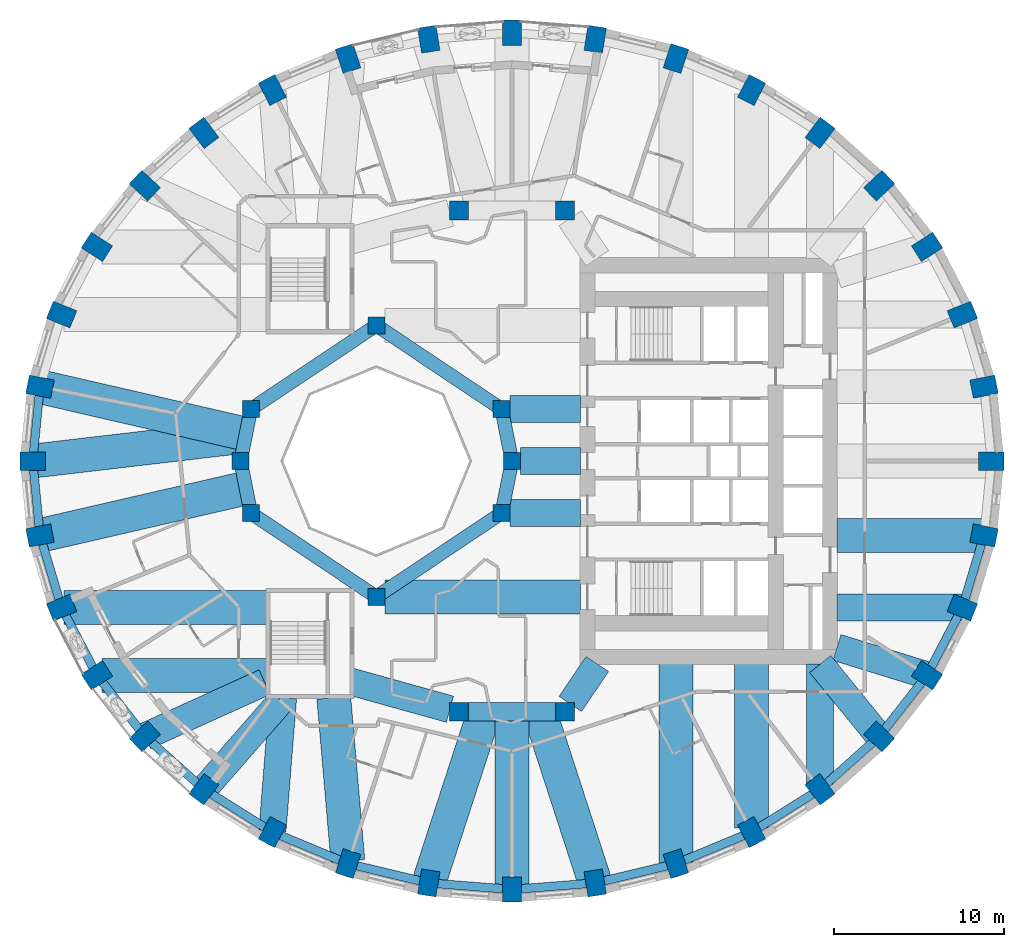
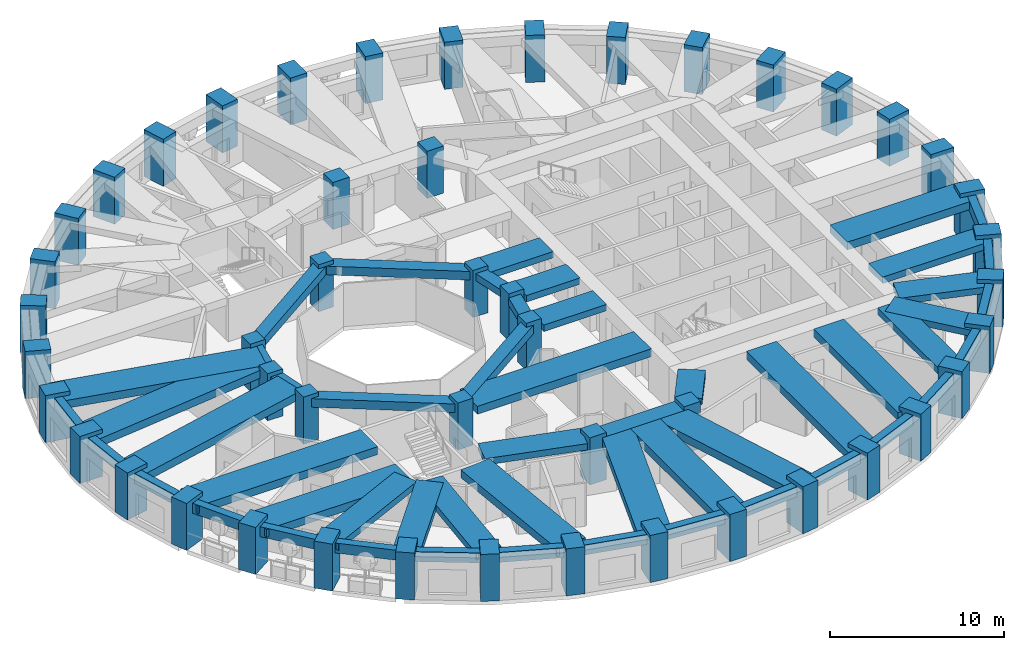
# One storey, part 1 of 13: 52 beams, 48 columns.
"""IFC4 building model written with IfcOpenShell, lengths in metres."""

from ifc_helpers import new_model, si_unit, direction, frame, origin, origin_2d, place, context, subcontext, project, spatial, rectangle, extrude, material, material_profile, profile_set, type_object, element, save


model = new_model("IFC4")

# Units and contexts
model_context = context("Model", 3, precision=1e-05, world=origin(), true_north=direction((0.0, 1.0)))
body_context = subcontext(model_context, "Body", "Model", "MODEL_VIEW")
ifc_project = project(units=[si_unit("LENGTHUNIT", "METRE"), si_unit("AREAUNIT", "SQUARE_METRE"), si_unit("VOLUMEUNIT", "CUBIC_METRE"), si_unit("PLANEANGLEUNIT", "RADIAN"), si_unit("MASSUNIT", "GRAM", prefix="KILO")], contexts=[model_context])

# Site, building, storey
site_placement = place(None, origin())
site = spatial("IfcSite", under=ifc_project, at=site_placement, CompositionType="ELEMENT")
building_placement = place(site_placement, origin())
building = spatial("IfcBuilding", under=site, at=building_placement, Name="Taillehof Tower", CompositionType="ELEMENT")
storey_placement = place(building_placement, frame((0.0, 0.0, 51.39990234375)))
storey = spatial("IfcBuildingStorey", under=building, at=storey_placement, Name="L13", CompositionType="ELEMENT", Elevation=51.39990234375)

# Columns
ifc_material_1 = material(Name="Concrete C50/60", Category="concrete")
ifc_material_profile_1 = material_profile(ifc_material_1, rectangle(XDim=1.0, YDim=1.0, at=origin_2d()), Name="RC 1000x1000")
ifc_profile_set_1 = profile_set([ifc_material_profile_1], Name="Concrete C50/60")
column_type_1 = type_object("IfcColumnType", Name="Atrium ring column C50/60 1000x1000", PredefinedType="COLUMN", material=ifc_profile_set_1)
for number, where, z_axis, x_axis, name in (
    (1, (0.0, 0.0, 0.0), (0.0, 0.0, 1.0), (1.0, 0.0, 0.0), "Column AC01"),
    (2, (-8.0, 8.0, 0.0), (0.0, 0.0, 1.0), (1.0, 0.0, 0.0), "Column AC05"),
    (3, (-15.39111328125, 3.0615234375, 0.0), (0.0, 0.0, 1.0), (1.0, 0.0, 0.0), "Column AC08"),
    (4, (-16.0, 0.0, 0.0), (0.0, 0.0, 1.0), (1.0, 0.0, 0.0), "Column AC09"),
    (5, (-15.39111328125, -3.0615234375, 0.0), (0.0, 0.0, 1.0), (1.0, 0.0, 0.0), "Column AC10"),
    (6, (-8.0, -8.0, 0.0), (0.0, 0.0, 1.0), (1.0, 0.0, 0.0), "Column AC13"),
    (7, (-0.60888671875, -3.0615234375, 0.0), (0.0, 0.0, 1.0), (1.0, 0.0, 0.0), "Column AC16"),
):
    element("IfcColumn", number, at=place(storey_placement, frame(where, z_axis=z_axis, x_axis=x_axis)), inside=storey, type_object=column_type_1, Name=name, PredefinedType="COLUMN", context=body_context, shape_type="SweptSolid", body=[
        extrude(rectangle(XDim=1.0, YDim=1.0, at=origin_2d()), origin(), (0.0, 0.0, 1.0), 3.300048828125),
    ])
ifc_material_2 = material(Name="Concrete C60/75", Category="concrete")
ifc_material_profile_2 = material_profile(ifc_material_2, rectangle(XDim=1.0, YDim=1.0, at=origin_2d()), Name="RC 1000x1000")
ifc_profile_set_2 = profile_set([ifc_material_profile_2], Name="Concrete C60/75")
column_type_2 = type_object("IfcColumnType", Name="Atrium ring column C60/75 1000x1000", PredefinedType="COLUMN", material=ifc_profile_set_2)
column_placement = place(storey_placement, frame((-0.60888671875, 3.0615234375, 0.0), z_axis=(0.0, 0.0, 1.0), x_axis=(1.0, 0.0, 0.0)))
element("IfcColumn", 8, at=column_placement, inside=storey, type_object=column_type_2, Name="Column AC02", PredefinedType="COLUMN", context=body_context, shape_type="SweptSolid", body=[
    extrude(rectangle(XDim=1.0, YDim=1.0, at=origin_2d()), origin(), (0.0, 0.0, 1.0), 3.300048828125),
])
ifc_material_3 = material(Name="Concrete C60/75", Category="concrete")
ifc_material_profile_3 = material_profile(ifc_material_3, rectangle(XDim=1.10009765625, YDim=1.10009765625, at=origin_2d()), Name="RC 1100x1100")
ifc_profile_set_3 = profile_set([ifc_material_profile_3], Name="Concrete C60/75")
column_type_3 = type_object("IfcColumnType", Name="Mid-ring column C60/75 1100x1100", PredefinedType="COLUMN", material=ifc_profile_set_3)
for number, where, z_axis, x_axis, name in (
    (9, (3.125732421875, 14.772216796875, 0.0), (0.0, 0.0, 1.0), (1.0, 0.0, 0.0), "Column MC05"),
    (10, (3.125732421875, -14.772216796875, 0.0), (0.0, 0.0, 1.0), (1.0, 0.0, 0.0), "Column MC15"),
):
    element("IfcColumn", number, at=place(storey_placement, frame(where, z_axis=z_axis, x_axis=x_axis)), inside=storey, type_object=column_type_3, Name=name, PredefinedType="COLUMN", context=body_context, shape_type="SweptSolid", body=[
        extrude(rectangle(XDim=1.10009765625, YDim=1.10009765625, at=origin_2d()), origin(), (0.0, 0.0, 1.0), 3.300048828125),
    ])
ifc_material_4 = material(Name="Concrete C70/85", Category="concrete")
ifc_material_profile_4 = material_profile(ifc_material_4, rectangle(XDim=1.10009765625, YDim=1.10009765625, at=origin_2d()), Name="RC 1100x1100")
ifc_profile_set_4 = profile_set([ifc_material_profile_4], Name="Concrete C70/85")
column_type_4 = type_object("IfcColumnType", Name="Mid-ring column C70/85 1100x1100", PredefinedType="COLUMN", material=ifc_profile_set_4)
for number, where, z_axis, x_axis, name in (
    (11, (-3.125732421875, 14.772216796875, 0.0), (0.0, 0.0, 1.0), (1.0, 0.0, 0.0), "Column MC06"),
    (12, (-3.125732421875, -14.772216796875, 0.0), (0.0, 0.0, 1.0), (1.0, 0.0, 0.0), "Column MC14"),
):
    element("IfcColumn", number, at=place(storey_placement, frame(where, z_axis=z_axis, x_axis=x_axis)), inside=storey, type_object=column_type_4, Name=name, PredefinedType="COLUMN", context=body_context, shape_type="SweptSolid", body=[
        extrude(rectangle(XDim=1.10009765625, YDim=1.10009765625, at=origin_2d()), origin(), (0.0, 0.0, 1.0), 3.300048828125),
    ])
ifc_material_5 = material(Name="Concrete C70/85", Category="concrete")
ifc_material_profile_5 = material_profile(ifc_material_5, rectangle(XDim=1.5, YDim=1.10009765625, at=origin_2d()), Name="RC 1500x1100")
ifc_profile_set_5 = profile_set([ifc_material_profile_5], Name="Concrete C70/85")
column_type_5 = type_object("IfcColumnType", Name="Ring column C70/85 1500x1100", PredefinedType="COLUMN", material=ifc_profile_set_5)
for number, where, z_axis, x_axis, name in (
    (13, (28.25, 0.0, 0.0), (0.0, 0.0, 1.0), (1.0, 0.0, 0.0), "Ring column RC01"),
    (14, (27.82080078125, 4.384521484375, 0.0), (0.0, 0.0, 1.0), (0.98120354895, 0.192975634545, 0.0), "Ring column RC02"),
    (15, (26.54638671875, 8.635986328125, 0.0), (0.0, 0.0, 1.0), (0.926558045297, 0.37615181602, 0.0), "Ring column RC03"),
    (16, (24.46533203125, 12.625, 0.0), (0.0, 0.0, 1.0), (0.840753565229, 0.541417992456, 0.0), "Ring column RC04"),
    (17, (21.640869140625, 16.23046875, 0.0), (0.0, 0.0, 1.0), (0.730113022917, 0.683326403535, 0.0), "Ring column RC05"),
    (18, (18.15869140625, 19.342529296875, 0.0), (0.0, 0.0, 1.0), (0.601173783055, 0.79911831575, 0.0), "Ring column RC06"),
    (19, (14.125, 21.8671875, 0.0), (0.0, 0.0, 1.0), (0.459691308511, 0.888078769524, 0.0), "Ring column RC07"),
    (20, (9.662109375, 23.727294921875, 0.0), (0.0, 0.0, 1.0), (0.310219183529, 0.950665060981, 0.0), "Ring column RC08"),
    (21, (4.905517578125, 24.866455078125, 0.0), (0.0, 0.0, 1.0), (0.15614709407, 0.987733812833, 0.0), "Ring column RC09"),
    (22, (0.0, 25.25, 0.0), (0.0, 0.0, 1.0), (0.0, 1.0, 0.0), "Ring column RC10"),
    (23, (-4.905517578125, 24.866455078125, 0.0), (0.0, 0.0, 1.0), (-0.15614709407, 0.987733812833, 0.0), "Ring column RC11"),
    (24, (-9.662109375, 23.727294921875, 0.0), (0.0, 0.0, 1.0), (-0.310219183529, 0.950665060981, 0.0), "Ring column RC12"),
    (25, (-14.125, 21.8671875, 0.0), (0.0, 0.0, 1.0), (-0.459691308511, 0.888078769524, 0.0), "Ring column RC13"),
    (26, (-18.15869140625, 19.342529296875, 0.0), (0.0, 0.0, 1.0), (-0.601173783055, 0.79911831575, 0.0), "Ring column RC14"),
    (27, (-21.640869140625, 16.23046875, 0.0), (0.0, 0.0, 1.0), (-0.730113022917, 0.683326403535, 0.0), "Ring column RC15"),
    (28, (-24.46533203125, 12.625, 0.0), (0.0, 0.0, 1.0), (-0.840753565229, 0.541417992456, 0.0), "Ring column RC16"),
    (29, (-26.54638671875, 8.635986328125, 0.0), (0.0, 0.0, 1.0), (-0.926558045297, 0.37615181602, 0.0), "Ring column RC17"),
    (30, (-27.82080078125, 4.384521484375, 0.0), (0.0, 0.0, 1.0), (-0.98120354895, 0.192975634545, 0.0), "Ring column RC18"),
    (31, (-28.25, 0.0, 0.0), (0.0, 0.0, 1.0), (-1.0, 0.0, 0.0), "Ring column RC19"),
    (32, (-27.82080078125, -4.384521484375, 0.0), (0.0, 0.0, 1.0), (-0.98120354895, -0.192975634545, 0.0), "Ring column RC20"),
    (33, (-26.54638671875, -8.635986328125, 0.0), (0.0, 0.0, 1.0), (-0.926558045297, -0.37615181602, 0.0), "Ring column RC21"),
    (34, (-24.46533203125, -12.625, 0.0), (0.0, 0.0, 1.0), (-0.840753565229, -0.541417992456, 0.0), "Ring column RC22"),
    (35, (-21.640869140625, -16.23046875, 0.0), (0.0, 0.0, 1.0), (-0.730113022917, -0.683326403535, 0.0), "Ring column RC23"),
    (36, (-18.15869140625, -19.342529296875, 0.0), (0.0, 0.0, 1.0), (-0.601173783055, -0.79911831575, 0.0), "Ring column RC24"),
    (37, (-14.125, -21.8671875, 0.0), (0.0, 0.0, 1.0), (-0.459691308511, -0.888078769524, 0.0), "Ring column RC25"),
    (38, (-9.662109375, -23.727294921875, 0.0), (0.0, 0.0, 1.0), (-0.310219183529, -0.950665060981, 0.0), "Ring column RC26"),
    (39, (-4.905517578125, -24.866455078125, 0.0), (0.0, 0.0, 1.0), (-0.15614709407, -0.987733812833, 0.0), "Ring column RC27"),
    (40, (0.0, -25.25, 0.0), (0.0, 0.0, 1.0), (0.0, -1.0, 0.0), "Ring column RC28"),
    (41, (4.905517578125, -24.866455078125, 0.0), (0.0, 0.0, 1.0), (0.15614709407, -0.987733812833, 0.0), "Ring column RC29"),
    (42, (9.662109375, -23.727294921875, 0.0), (0.0, 0.0, 1.0), (0.310219183529, -0.950665060981, 0.0), "Ring column RC30"),
    (43, (14.125, -21.8671875, 0.0), (0.0, 0.0, 1.0), (0.459691308511, -0.888078769524, 0.0), "Ring column RC31"),
    (44, (18.15869140625, -19.342529296875, 0.0), (0.0, 0.0, 1.0), (0.601173783055, -0.79911831575, 0.0), "Ring column RC32"),
    (45, (21.640869140625, -16.23046875, 0.0), (0.0, 0.0, 1.0), (0.730113022917, -0.683326403535, 0.0), "Ring column RC33"),
    (46, (24.46533203125, -12.625, 0.0), (0.0, 0.0, 1.0), (0.840753565229, -0.541417992456, 0.0), "Ring column RC34"),
    (47, (26.54638671875, -8.635986328125, 0.0), (0.0, 0.0, 1.0), (0.926558045297, -0.37615181602, 0.0), "Ring column RC35"),
    (48, (27.82080078125, -4.384521484375, 0.0), (0.0, 0.0, 1.0), (0.98120354895, -0.192975634545, 0.0), "Ring column RC36"),
):
    element("IfcColumn", number, at=place(storey_placement, frame(where, z_axis=z_axis, x_axis=x_axis)), inside=storey, type_object=column_type_5, Name=name, PredefinedType="COLUMN", context=body_context, shape_type="SweptSolid", body=[
        extrude(rectangle(XDim=1.5, YDim=1.10009765625, at=origin_2d()), origin(), (0.0, 0.0, 1.0), 3.300048828125),
    ])

# Beams
ifc_material_6 = material(Name="Concrete C50/60", Category="concrete")
ifc_material_profile_6 = material_profile(ifc_material_6, rectangle(XDim=0.800048828125, YDim=0.5, at=origin_2d()), Name="RC 800x500")
ifc_profile_set_6 = profile_set([ifc_material_profile_6], Name="Concrete C50/60")
beam_type_1 = type_object("IfcBeamType", Name="Atrium ring beam C50/60 800x500", PredefinedType="BEAM", material=ifc_profile_set_6)
for number, where, z_axis, x_axis, name in (
    (49, (0.0, 0.0, 2.77001953125), (-0.195063155143, 0.980790683839, 0.0), (-0.980790683839, -0.195063155143, 0.0), "Atrium ring beam AB01"),
    (50, (-15.39111328125, 3.0615234375, 2.77001953125), (-0.195063155143, -0.980790683839, 0.0), (0.980790683839, -0.195063155143, 0.0), "Atrium ring beam AB04"),
    (51, (-16.0, 0.0, 2.77001953125), (0.195063155143, -0.980790683839, 0.0), (0.980790683839, 0.195063155143, 0.0), "Atrium ring beam AB05"),
    (52, (-0.60888671875, -3.0615234375, 2.77001953125), (0.195063155143, 0.980790683839, 0.0), (-0.980790683839, 0.195063155143, 0.0), "Atrium ring beam AB08"),
):
    element("IfcBeam", number, at=place(storey_placement, frame(where, z_axis=z_axis, x_axis=x_axis)), inside=storey, type_object=beam_type_1, Name=name, PredefinedType="BEAM", context=body_context, shape_type="SweptSolid", body=[
        extrude(rectangle(XDim=0.800048828125, YDim=0.5, at=origin_2d()), origin(), (0.0, 0.0, 1.0), 3.12158203125),
    ])
ifc_material_7 = material(Name="Concrete C50/60", Category="concrete")
ifc_material_profile_7 = material_profile(ifc_material_7, rectangle(XDim=0.800048828125, YDim=0.60009765625, at=origin_2d()), Name="RC 800x600")
ifc_profile_set_7 = profile_set([ifc_material_profile_7], Name="Concrete C50/60")
beam_type_2 = type_object("IfcBeamType", Name="Atrium ring beam C50/60 800x600", PredefinedType="BEAM", material=ifc_profile_set_7)
for number, where, z_axis, x_axis, name in (
    (53, (-0.60888671875, 3.0615234375, 2.72021484375), (-0.831475195687, 0.555561876804, 0.0), (-0.555561876804, -0.831475195687, 0.0), "Atrium ring beam AB02"),
    (54, (-8.0, 8.0, 2.72021484375), (-0.831475195687, -0.555561876804, 0.0), (0.555561876804, -0.831475195687, 0.0), "Atrium ring beam AB03"),
    (55, (-15.39111328125, -3.0615234375, 2.72021484375), (0.831475195687, -0.555561876804, 0.0), (0.555561876804, 0.831475195687, 0.0), "Atrium ring beam AB06"),
    (56, (-8.0, -8.0, 2.72021484375), (0.831475195687, 0.555561876804, 0.0), (-0.555561876804, 0.831475195687, 0.0), "Atrium ring beam AB07"),
):
    element("IfcBeam", number, at=place(storey_placement, frame(where, z_axis=z_axis, x_axis=x_axis)), inside=storey, type_object=beam_type_2, Name=name, PredefinedType="BEAM", context=body_context, shape_type="SweptSolid", body=[
        extrude(rectangle(XDim=0.800048828125, YDim=0.60009765625, at=origin_2d()), origin(), (0.0, 0.0, 1.0), 8.88916015625),
    ])
ifc_material_8 = material(Name="Concrete C50/60", Category="concrete")
ifc_material_profile_8 = material_profile(ifc_material_8, rectangle(XDim=1.10009765625, YDim=0.60009765625, at=origin_2d()), Name="RC 1100x600")
ifc_profile_set_8 = profile_set([ifc_material_profile_8], Name="Concrete C50/60")
beam_type_3 = type_object("IfcBeamType", Name="Mid-ring beam C50/60 1100x600", PredefinedType="BEAM", material=ifc_profile_set_8)
beam_1_placement = place(storey_placement, frame((-3.125732421875, -14.772216796875, 2.72021484375), z_axis=(1.0, 0.0, 0.0), x_axis=(0.0, 1.0, 0.0)))
element("IfcBeam", 57, at=beam_1_placement, inside=storey, type_object=beam_type_3, Name="Mid-ring beam MB02", PredefinedType="BEAM", context=body_context, shape_type="SweptSolid", body=[
    extrude(rectangle(XDim=1.10009765625, YDim=0.60009765625, at=origin_2d()), origin(), (0.0, 0.0, 1.0), 6.25146484375),
])
ifc_material_9 = material(Name="Concrete C50/60", Category="concrete")
ifc_material_profile_9 = material_profile(ifc_material_9, rectangle(XDim=1.60009765625, YDim=0.449951171875, at=origin_2d()), Name="RC 1600x450")
ifc_profile_set_9 = profile_set([ifc_material_profile_9], Name="Concrete C50/60")
beam_type_4 = type_object("IfcBeamType", Name="Radial band beam C50/60 1600x450", PredefinedType="BEAM", material=ifc_profile_set_9)
beam_2_placement = place(storey_placement, frame((-21.632568359375, -16.226806640625, 2.795166015625), z_axis=(0.911100590789, 0.412184077161, 0.0), x_axis=(-0.412184077161, 0.911100590789, 0.0)))
element("IfcBeam", 58, at=beam_2_placement, inside=storey, type_object=beam_type_4, Name="Radial band beam RB23", PredefinedType="BEAM", context=body_context, shape_type="SweptSolid", body=[
    extrude(rectangle(XDim=1.60009765625, YDim=0.449951171875, at=origin_2d()), origin(), (0.0, 0.0, 1.0), 7.740966796875),
])
beam_3_placement = place(storey_placement, frame((-18.15869140625, -19.342529296875, 2.795166015625), z_axis=(0.65721824087, 0.753700327628, 0.0), x_axis=(-0.753700327628, 0.65721824087, 0.0)))
element("IfcBeam", 59, at=beam_3_placement, inside=storey, type_object=beam_type_4, Name="Radial band beam RB24", PredefinedType="BEAM", context=body_context, shape_type="SweptSolid", body=[
    extrude(rectangle(XDim=1.60009765625, YDim=0.449951171875, at=origin_2d()), origin(), (0.0, 0.0, 1.0), 6.9384765625),
])
beam_4_placement = place(storey_placement, frame((-14.119873046875, -21.802978515625, 2.795166015625), z_axis=(0.079184740988, 0.996859958467, 0.0), x_axis=(-0.996859958467, 0.079184740988, 0.0)))
element("IfcBeam", 60, at=beam_4_placement, inside=storey, type_object=beam_type_4, Name="Radial band beam RB25", PredefinedType="BEAM", context=body_context, shape_type="SweptSolid", body=[
    extrude(rectangle(XDim=1.60009765625, YDim=0.449951171875, at=origin_2d()), origin(), (0.0, 0.0, 1.0), 7.87744140625),
])
beam_5_placement = place(storey_placement, frame((18.15869140625, -19.05517578125, 2.795166015625), z_axis=(0.0, 1.0, 0.0), x_axis=(-1.0, 0.0, 0.0)))
element("IfcBeam", 61, at=beam_5_placement, inside=storey, type_object=beam_type_4, Name="Radial band beam RB32", PredefinedType="BEAM", context=body_context, shape_type="SweptSolid", body=[
    extrude(rectangle(XDim=1.60009765625, YDim=0.449951171875, at=origin_2d()), origin(), (0.0, 0.0, 1.0), 7.105224609375),
])
beam_6_placement = place(storey_placement, frame((21.640869140625, -16.23046875, 2.795166015625), z_axis=(-0.630988373846, 0.775792286679, 0.0), x_axis=(-0.775792286679, -0.630988373846, 0.0)))
element("IfcBeam", 62, at=beam_6_placement, inside=storey, type_object=beam_type_4, Name="Radial band beam RB33", PredefinedType="BEAM", context=body_context, shape_type="SweptSolid", body=[
    extrude(rectangle(XDim=1.60009765625, YDim=0.449951171875, at=origin_2d()), origin(), (0.0, 0.0, 1.0), 5.503173828125),
])
beam_7_placement = place(storey_placement, frame((24.46533203125, -12.625, 2.795166015625), z_axis=(-0.955535654338, 0.294875589511, 0.0), x_axis=(-0.294875589511, -0.955535654338, 0.0)))
element("IfcBeam", 63, at=beam_7_placement, inside=storey, type_object=beam_type_4, Name="Radial band beam RB34", PredefinedType="BEAM", context=body_context, shape_type="SweptSolid", body=[
    extrude(rectangle(XDim=1.60009765625, YDim=0.449951171875, at=origin_2d()), origin(), (0.0, 0.0, 1.0), 5.560546875),
])
beam_8_placement = place(storey_placement, frame((26.490478515625, -8.635986328125, 2.795166015625), z_axis=(-1.0, 0.0, 0.0), x_axis=(0.0, -1.0, 0.0)))
element("IfcBeam", 64, at=beam_8_placement, inside=storey, type_object=beam_type_4, Name="Radial band beam RB35", PredefinedType="BEAM", context=body_context, shape_type="SweptSolid", body=[
    extrude(rectangle(XDim=1.60009765625, YDim=0.449951171875, at=origin_2d()), origin(), (0.0, 0.0, 1.0), 7.340576171875),
])
beam_9_placement = place(storey_placement, frame((0.5, 0.0, 2.795166015625), z_axis=(1.0, 0.0, 0.0), x_axis=(0.0, 1.0, 0.0)))
element("IfcBeam", 65, at=beam_9_placement, inside=storey, type_object=beam_type_4, Name="Inner band beam IB101", PredefinedType="BEAM", context=body_context, shape_type="SweptSolid", body=[
    extrude(rectangle(XDim=1.60009765625, YDim=0.449951171875, at=origin_2d()), origin(), (0.0, 0.0, 1.0), 3.550048828125),
])
for number, where, z_axis, x_axis, name in (
    (66, (-0.10888671875, 3.0615234375, 2.795166015625), (1.0, 0.0, 0.0), (0.0, 1.0, 0.0), "Inner band beam IB102"),
    (67, (-0.10888671875, -3.0615234375, 2.795166015625), (1.0, 0.0, 0.0), (0.0, 1.0, 0.0), "Inner band beam IB116"),
):
    element("IfcBeam", number, at=place(storey_placement, frame(where, z_axis=z_axis, x_axis=x_axis)), inside=storey, type_object=beam_type_4, Name=name, PredefinedType="BEAM", context=body_context, shape_type="SweptSolid", body=[
        extrude(rectangle(XDim=1.60009765625, YDim=0.449951171875, at=origin_2d()), origin(), (0.0, 0.0, 1.0), 4.158935546875),
    ])
beam_10_placement = place(storey_placement, frame((-3.655517578125, -14.624755859375, 2.795166015625), z_axis=(-0.963459369536, 0.267854518821, 0.0), x_axis=(-0.267854518821, -0.963459369536, 0.0)))
element("IfcBeam", 68, at=beam_10_placement, inside=storey, type_object=beam_type_4, Name="Inner band beam IB214", PredefinedType="BEAM", context=body_context, shape_type="SweptSolid", body=[
    extrude(rectangle(XDim=1.60009765625, YDim=0.449951171875, at=origin_2d()), origin(), (0.0, 0.0, 1.0), 6.096923828125),
])
beam_11_placement = place(storey_placement, frame((3.433837890625, -14.31640625, 2.795166015625), z_axis=(0.560112043398, 0.828416862962, 0.0), x_axis=(-0.828416862962, 0.560112043398, 0.0)))
element("IfcBeam", 69, at=beam_11_placement, inside=storey, type_object=beam_type_4, Name="Inner band beam IB215", PredefinedType="BEAM", context=body_context, shape_type="SweptSolid", body=[
    extrude(rectangle(XDim=1.60009765625, YDim=0.449951171875, at=origin_2d()), origin(), (0.0, 0.0, 1.0), 2.84619140625),
])
ifc_material_10 = material(Name="Concrete C50/60", Category="concrete")
ifc_material_profile_10 = material_profile(ifc_material_10, rectangle(XDim=2.0, YDim=0.550048828125, at=origin_2d()), Name="RC 2000x550")
ifc_profile_set_10 = profile_set([ifc_material_profile_10], Name="Concrete C50/60")
beam_type_5 = type_object("IfcBeamType", Name="Radial band beam C50/60 2000x550", PredefinedType="BEAM", material=ifc_profile_set_10)
beam_12_placement = place(storey_placement, frame((-27.82080078125, 4.384521484375, 2.7451171875), z_axis=(0.974509005862, -0.2243483842, 0.0), x_axis=(0.2243483842, 0.974509005862, 0.0)))
element("IfcBeam", 70, at=beam_12_placement, inside=storey, type_object=beam_type_5, Name="Radial band beam RB18", PredefinedType="BEAM", context=body_context, shape_type="SweptSolid", body=[
    extrude(rectangle(XDim=2.0, YDim=0.550048828125, at=origin_2d()), origin(), (0.0, 0.0, 1.0), 12.45458984375),
])
beam_13_placement = place(storey_placement, frame((-28.25, 0.0, 2.7451171875), z_axis=(0.993191188018, 0.11649576835, 0.0), x_axis=(-0.11649576835, 0.993191188018, 0.0)))
element("IfcBeam", 71, at=beam_13_placement, inside=storey, type_object=beam_type_5, Name="Radial band beam RB19", PredefinedType="BEAM", context=body_context, shape_type="SweptSolid", body=[
    extrude(rectangle(XDim=2.0, YDim=0.550048828125, at=origin_2d()), origin(), (0.0, 0.0, 1.0), 12.628662109375),
])
beam_14_placement = place(storey_placement, frame((-27.82080078125, -4.384521484375, 2.7451171875), z_axis=(0.974509005862, 0.2243483842, 0.0), x_axis=(-0.2243483842, 0.974509005862, 0.0)))
element("IfcBeam", 72, at=beam_14_placement, inside=storey, type_object=beam_type_5, Name="Radial band beam RB20", PredefinedType="BEAM", context=body_context, shape_type="SweptSolid", body=[
    extrude(rectangle(XDim=2.0, YDim=0.550048828125, at=origin_2d()), origin(), (0.0, 0.0, 1.0), 12.45458984375),
])
beam_15_placement = place(storey_placement, frame((-26.408935546875, -8.635986328125, 2.7451171875), z_axis=(1.0, 0.0, 0.0), x_axis=(0.0, 1.0, 0.0)))
element("IfcBeam", 73, at=beam_15_placement, inside=storey, type_object=beam_type_5, Name="Radial band beam RB21", PredefinedType="BEAM", context=body_context, shape_type="SweptSolid", body=[
    extrude(rectangle(XDim=2.0, YDim=0.550048828125, at=origin_2d()), origin(), (0.0, 0.0, 1.0), 11.958984375),
])
beam_16_placement = place(storey_placement, frame((-24.172607421875, -12.625, 2.7451171875), z_axis=(1.0, 0.0, 0.0), x_axis=(0.0, 1.0, 0.0)))
element("IfcBeam", 74, at=beam_16_placement, inside=storey, type_object=beam_type_5, Name="Radial band beam RB22", PredefinedType="BEAM", context=body_context, shape_type="SweptSolid", body=[
    extrude(rectangle(XDim=2.0, YDim=0.550048828125, at=origin_2d()), origin(), (0.0, 0.0, 1.0), 9.72265625),
])
beam_17_placement = place(storey_placement, frame((-9.675048828125, -23.575927734375, 2.7451171875), z_axis=(-0.085841202752, 0.996308831593, 0.0), x_axis=(-0.996308831593, -0.085841202752, 0.0)))
element("IfcBeam", 75, at=beam_17_placement, inside=storey, type_object=beam_type_5, Name="Radial band beam RB26", PredefinedType="BEAM", context=body_context, shape_type="SweptSolid", body=[
    extrude(rectangle(XDim=2.0, YDim=0.550048828125, at=origin_2d()), origin(), (0.0, 0.0, 1.0), 9.661376953125),
])
beam_18_placement = place(storey_placement, frame((-4.905517578125, -24.866455078125, 2.7451171875), z_axis=(0.309014294595, 0.951057393503, 0.0), x_axis=(-0.951057393503, 0.309014294595, 0.0)))
element("IfcBeam", 76, at=beam_18_placement, inside=storey, type_object=beam_type_5, Name="Radial band beam RB27", PredefinedType="BEAM", context=body_context, shape_type="SweptSolid", body=[
    extrude(rectangle(XDim=2.0, YDim=0.550048828125, at=origin_2d()), origin(), (0.0, 0.0, 1.0), 10.61376953125),
])
beam_19_placement = place(storey_placement, frame((0.0, -25.25, 2.7451171875), z_axis=(0.0, 1.0, 0.0), x_axis=(-1.0, 0.0, 0.0)))
element("IfcBeam", 77, at=beam_19_placement, inside=storey, type_object=beam_type_5, Name="Radial band beam RB28", PredefinedType="BEAM", context=body_context, shape_type="SweptSolid", body=[
    extrude(rectangle(XDim=2.0, YDim=0.550048828125, at=origin_2d()), origin(), (0.0, 0.0, 1.0), 10.477783203125),
])
beam_20_placement = place(storey_placement, frame((4.905517578125, -24.866455078125, 2.7451171875), z_axis=(-0.309014294595, 0.951057393503, 0.0), x_axis=(-0.951057393503, -0.309014294595, 0.0)))
element("IfcBeam", 78, at=beam_20_placement, inside=storey, type_object=beam_type_5, Name="Radial band beam RB29", PredefinedType="BEAM", context=body_context, shape_type="SweptSolid", body=[
    extrude(rectangle(XDim=2.0, YDim=0.550048828125, at=origin_2d()), origin(), (0.0, 0.0, 1.0), 10.61376953125),
])
beam_21_placement = place(storey_placement, frame((9.662109375, -23.664794921875, 2.7451171875), z_axis=(0.0, 1.0, 0.0), x_axis=(-1.0, 0.0, 0.0)))
element("IfcBeam", 79, at=beam_21_placement, inside=storey, type_object=beam_type_5, Name="Radial band beam RB30", PredefinedType="BEAM", context=body_context, shape_type="SweptSolid", body=[
    extrude(rectangle(XDim=2.0, YDim=0.550048828125, at=origin_2d()), origin(), (0.0, 0.0, 1.0), 11.71484375),
])
beam_22_placement = place(storey_placement, frame((14.125, -21.63232421875, 2.7451171875), z_axis=(0.0, 1.0, 0.0), x_axis=(-1.0, 0.0, 0.0)))
element("IfcBeam", 80, at=beam_22_placement, inside=storey, type_object=beam_type_5, Name="Radial band beam RB31", PredefinedType="BEAM", context=body_context, shape_type="SweptSolid", body=[
    extrude(rectangle(XDim=2.0, YDim=0.550048828125, at=origin_2d()), origin(), (0.0, 0.0, 1.0), 9.682373046875),
])
beam_23_placement = place(storey_placement, frame((27.82080078125, -4.384521484375, 2.7451171875), z_axis=(-1.0, 0.0, 0.0), x_axis=(0.0, -1.0, 0.0)))
element("IfcBeam", 81, at=beam_23_placement, inside=storey, type_object=beam_type_5, Name="Radial band beam RB36", PredefinedType="BEAM", context=body_context, shape_type="SweptSolid", body=[
    extrude(rectangle(XDim=2.0, YDim=0.550048828125, at=origin_2d()), origin(), (0.0, 0.0, 1.0), 8.6708984375),
])
beam_24_placement = place(storey_placement, frame((-7.5, -8.0, 2.7451171875), z_axis=(1.0, 0.0, 0.0), x_axis=(0.0, 1.0, 0.0)))
element("IfcBeam", 82, at=beam_24_placement, inside=storey, type_object=beam_type_5, Name="Inner band beam IB113", PredefinedType="BEAM", context=body_context, shape_type="SweptSolid", body=[
    extrude(rectangle(XDim=2.0, YDim=0.550048828125, at=origin_2d()), origin(), (0.0, 0.0, 1.0), 11.550048828125),
])
ifc_material_11 = material(Name="Concrete C50/60", Category="concrete")
ifc_material_profile_11 = material_profile(ifc_material_11, rectangle(XDim=0.5, YDim=0.699951171875, at=origin_2d()), Name="RC 500x700")
ifc_profile_set_11 = profile_set([ifc_material_profile_11], Name="Concrete C50/60")
beam_type_6 = type_object("IfcBeamType", Name="Spandrel beam C50/60 500x700", PredefinedType="SPANDREL", material=ifc_profile_set_11)
for number, where, z_axis, x_axis, name in (
    (83, (-27.82080078125, 4.384521484375, 2.670166015625), (-0.097423973567, -0.99524297002, 0.0), (0.99524297002, -0.097423973567, 0.0), "Spandrel beam SB18"),
    (84, (-28.25, 0.0, 2.670166015625), (0.097423973567, -0.99524297002, 0.0), (0.99524297002, 0.097423973567, 0.0), "Spandrel beam SB19"),
):
    element("IfcBeam", number, at=place(storey_placement, frame(where, z_axis=z_axis, x_axis=x_axis)), inside=storey, type_object=beam_type_6, Name=name, PredefinedType="SPANDREL", context=body_context, shape_type="SweptSolid", body=[
        extrude(rectangle(XDim=0.5, YDim=0.699951171875, at=origin_2d()), origin(), (0.0, 0.0, 1.0), 4.405517578125),
    ])
beam_25_placement = place(storey_placement, frame((-27.82080078125, -4.384521484375, 2.670166015625), z_axis=(0.287135925407, -0.957889847707, 0.0), x_axis=(0.957889847707, 0.287135925407, 0.0)))
element("IfcBeam", 85, at=beam_25_placement, inside=storey, type_object=beam_type_6, Name="Spandrel beam SB20", PredefinedType="SPANDREL", context=body_context, shape_type="SweptSolid", body=[
    extrude(rectangle(XDim=0.5, YDim=0.699951171875, at=origin_2d()), origin(), (0.0, 0.0, 1.0), 4.4384765625),
])
beam_26_placement = place(storey_placement, frame((-26.54638671875, -8.635986328125, 2.670166015625), z_axis=(0.462536335232, -0.886600326297, 0.0), x_axis=(0.886600326297, 0.462536335232, 0.0)))
element("IfcBeam", 86, at=beam_26_placement, inside=storey, type_object=beam_type_6, Name="Spandrel beam SB21", PredefinedType="SPANDREL", context=body_context, shape_type="SweptSolid", body=[
    extrude(rectangle(XDim=0.5, YDim=0.699951171875, at=origin_2d()), origin(), (0.0, 0.0, 1.0), 4.499267578125),
])
beam_27_placement = place(storey_placement, frame((-24.46533203125, -12.625, 2.670166015625), z_axis=(0.616686200373, -0.787209076593, 0.0), x_axis=(0.787209076593, 0.616686200373, 0.0)))
element("IfcBeam", 87, at=beam_27_placement, inside=storey, type_object=beam_type_6, Name="Spandrel beam SB22", PredefinedType="SPANDREL", context=body_context, shape_type="SweptSolid", body=[
    extrude(rectangle(XDim=0.5, YDim=0.699951171875, at=origin_2d()), origin(), (0.0, 0.0, 1.0), 4.580078125),
])
beam_28_placement = place(storey_placement, frame((-21.640869140625, -16.23046875, 2.670166015625), z_axis=(0.745621283614, -0.666369943366, 0.0), x_axis=(0.666369943366, 0.745621283614, 0.0)))
element("IfcBeam", 88, at=beam_28_placement, inside=storey, type_object=beam_type_6, Name="Spandrel beam SB23", PredefinedType="SPANDREL", context=body_context, shape_type="SweptSolid", body=[
    extrude(rectangle(XDim=0.5, YDim=0.699951171875, at=origin_2d()), origin(), (0.0, 0.0, 1.0), 4.670166015625),
])
beam_29_placement = place(storey_placement, frame((-18.15869140625, -19.342529296875, 2.670166015625), z_axis=(0.847658018883, -0.530543007703, 0.0), x_axis=(0.530543007703, 0.847658018883, 0.0)))
element("IfcBeam", 89, at=beam_29_placement, inside=storey, type_object=beam_type_6, Name="Spandrel beam SB24", PredefinedType="SPANDREL", context=body_context, shape_type="SweptSolid", body=[
    extrude(rectangle(XDim=0.5, YDim=0.699951171875, at=origin_2d()), origin(), (0.0, 0.0, 1.0), 4.758544921875),
])
beam_30_placement = place(storey_placement, frame((-14.125, -21.8671875, 2.670166015625), z_axis=(0.923035088053, -0.384715773297, 0.0), x_axis=(0.384715773297, 0.923035088053, 0.0)))
element("IfcBeam", 90, at=beam_30_placement, inside=storey, type_object=beam_type_6, Name="Spandrel beam SB25", PredefinedType="SPANDREL", context=body_context, shape_type="SweptSolid", body=[
    extrude(rectangle(XDim=0.5, YDim=0.699951171875, at=origin_2d()), origin(), (0.0, 0.0, 1.0), 4.8349609375),
])
beam_31_placement = place(storey_placement, frame((-9.662109375, -23.727294921875, 2.670166015625), z_axis=(0.9724995553, -0.232904733616, 0.0), x_axis=(0.232904733616, 0.9724995553, 0.0)))
element("IfcBeam", 91, at=beam_31_placement, inside=storey, type_object=beam_type_6, Name="Spandrel beam SB26", PredefinedType="SPANDREL", context=body_context, shape_type="SweptSolid", body=[
    extrude(rectangle(XDim=0.5, YDim=0.699951171875, at=origin_2d()), origin(), (0.0, 0.0, 1.0), 4.89111328125),
])
for number, where, z_axis, x_axis, name in (
    (92, (-4.905517578125, -24.866455078125, 2.670166015625), (0.996957383661, -0.077948541767, 0.0), (0.077948541767, 0.996957383661, 0.0), "Spandrel beam SB27"),
    (93, (0.0, -25.25, 2.670166015625), (0.996957383661, 0.077948541767, 0.0), (-0.077948541767, 0.996957383661, 0.0), "Spandrel beam SB28"),
):
    element("IfcBeam", number, at=place(storey_placement, frame(where, z_axis=z_axis, x_axis=x_axis)), inside=storey, type_object=beam_type_6, Name=name, PredefinedType="SPANDREL", context=body_context, shape_type="SweptSolid", body=[
        extrude(rectangle(XDim=0.5, YDim=0.699951171875, at=origin_2d()), origin(), (0.0, 0.0, 1.0), 4.92041015625),
    ])
beam_32_placement = place(storey_placement, frame((4.905517578125, -24.866455078125, 2.670166015625), z_axis=(0.9724995553, 0.232904733616, 0.0), x_axis=(-0.232904733616, 0.9724995553, 0.0)))
element("IfcBeam", 94, at=beam_32_placement, inside=storey, type_object=beam_type_6, Name="Spandrel beam SB29", PredefinedType="SPANDREL", context=body_context, shape_type="SweptSolid", body=[
    extrude(rectangle(XDim=0.5, YDim=0.699951171875, at=origin_2d()), origin(), (0.0, 0.0, 1.0), 4.89111328125),
])
beam_33_placement = place(storey_placement, frame((9.662109375, -23.727294921875, 2.670166015625), z_axis=(0.923035088053, 0.384715773297, 0.0), x_axis=(-0.384715773297, 0.923035088053, 0.0)))
element("IfcBeam", 95, at=beam_33_placement, inside=storey, type_object=beam_type_6, Name="Spandrel beam SB30", PredefinedType="SPANDREL", context=body_context, shape_type="SweptSolid", body=[
    extrude(rectangle(XDim=0.5, YDim=0.699951171875, at=origin_2d()), origin(), (0.0, 0.0, 1.0), 4.8349609375),
])
beam_34_placement = place(storey_placement, frame((14.125, -21.8671875, 2.670166015625), z_axis=(0.847658018883, 0.530543007703, 0.0), x_axis=(-0.530543007703, 0.847658018883, 0.0)))
element("IfcBeam", 96, at=beam_34_placement, inside=storey, type_object=beam_type_6, Name="Spandrel beam SB31", PredefinedType="SPANDREL", context=body_context, shape_type="SweptSolid", body=[
    extrude(rectangle(XDim=0.5, YDim=0.699951171875, at=origin_2d()), origin(), (0.0, 0.0, 1.0), 4.758544921875),
])
beam_35_placement = place(storey_placement, frame((18.15869140625, -19.342529296875, 2.670166015625), z_axis=(0.745621283614, 0.666369943366, 0.0), x_axis=(-0.666369943366, 0.745621283614, 0.0)))
element("IfcBeam", 97, at=beam_35_placement, inside=storey, type_object=beam_type_6, Name="Spandrel beam SB32", PredefinedType="SPANDREL", context=body_context, shape_type="SweptSolid", body=[
    extrude(rectangle(XDim=0.5, YDim=0.699951171875, at=origin_2d()), origin(), (0.0, 0.0, 1.0), 4.670166015625),
])
beam_36_placement = place(storey_placement, frame((21.640869140625, -16.23046875, 2.670166015625), z_axis=(0.616686200373, 0.787209076593, 0.0), x_axis=(-0.787209076593, 0.616686200373, 0.0)))
element("IfcBeam", 98, at=beam_36_placement, inside=storey, type_object=beam_type_6, Name="Spandrel beam SB33", PredefinedType="SPANDREL", context=body_context, shape_type="SweptSolid", body=[
    extrude(rectangle(XDim=0.5, YDim=0.699951171875, at=origin_2d()), origin(), (0.0, 0.0, 1.0), 4.580078125),
])
beam_37_placement = place(storey_placement, frame((24.46533203125, -12.625, 2.670166015625), z_axis=(0.462536335232, 0.886600326297, 0.0), x_axis=(-0.886600326297, 0.462536335232, 0.0)))
element("IfcBeam", 99, at=beam_37_placement, inside=storey, type_object=beam_type_6, Name="Spandrel beam SB34", PredefinedType="SPANDREL", context=body_context, shape_type="SweptSolid", body=[
    extrude(rectangle(XDim=0.5, YDim=0.699951171875, at=origin_2d()), origin(), (0.0, 0.0, 1.0), 4.499267578125),
])
beam_38_placement = place(storey_placement, frame((26.54638671875, -8.635986328125, 2.670166015625), z_axis=(0.287135925407, 0.957889847707, 0.0), x_axis=(-0.957889847707, 0.287135925407, 0.0)))
element("IfcBeam", 100, at=beam_38_placement, inside=storey, type_object=beam_type_6, Name="Spandrel beam SB35", PredefinedType="SPANDREL", context=body_context, shape_type="SweptSolid", body=[
    extrude(rectangle(XDim=0.5, YDim=0.699951171875, at=origin_2d()), origin(), (0.0, 0.0, 1.0), 4.4384765625),
])

save(model, "model.ifc")
